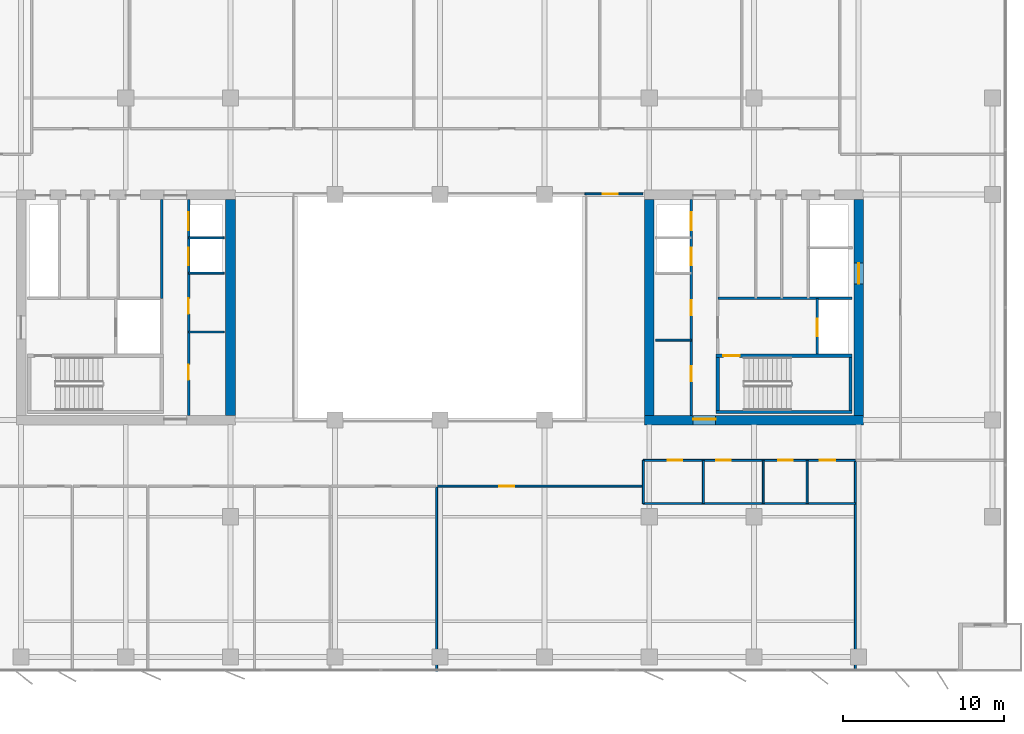
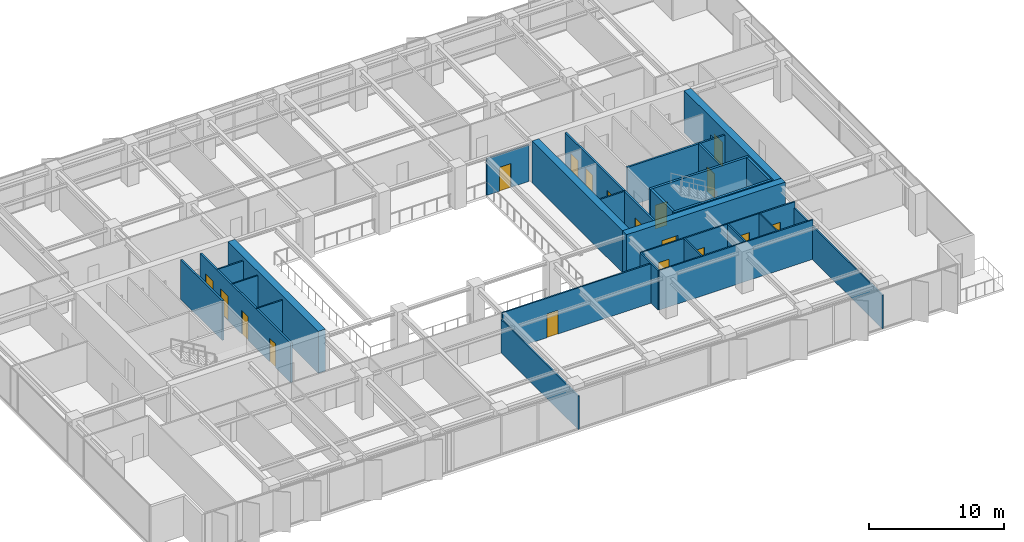
# One storey, part 16 of 22: 27 walls, 18 doors, 18 openings.
"""IFC4 building model written with IfcOpenShell, lengths in metres."""

import ifcopenshell
import ifcopenshell.guid

model = None  # the IFC model being written
_history = None  # IfcOwnerHistory: only IFC2X3 demands one
_inside = {}  # id of a spatial element -> (the spatial element, [elements in it])
_under = {}  # id of a project, library or spatial element -> (it, [spatial elements below it])
_declared = {}  # id of a project -> (the project, [libraries it declares])
_typed = {}  # id of a type object -> (the type object, [elements of that type])
_made_of = {}  # id of a material, layer set ... -> (it, [elements and type objects made of it])


def new_model(schema):
    """Start an empty IFC model of exactly this schema.

    Asked for "IFC4X3", IfcOpenShell would pick the latest addendum, in which some entities
    have other attributes; the version numbers below select the first issue.
    IFC2X3 requires an IfcOwnerHistory on every rooted entity: one is made here for all.
    """
    global model, _history
    if schema == "IFC4X3":
        model = ifcopenshell.file(schema_version=(4, 3, 0, 0))
    else:
        model = ifcopenshell.file(schema=schema)
    _inside.clear()
    _under.clear()
    _declared.clear()
    _typed.clear()
    _made_of.clear()
    _history = None
    if model.schema == "IFC2X3":
        org = make("IfcOrganization", Name="unknown")
        user = make(
            "IfcPersonAndOrganization",
            ThePerson=make("IfcPerson", FamilyName="unknown"),
            TheOrganization=org,
        )
        app = make(
            "IfcApplication",
            ApplicationDeveloper=org,
            Version="unknown",
            ApplicationFullName="unknown",
            ApplicationIdentifier="unknown",
        )
        _history = make(
            "IfcOwnerHistory",
            OwningUser=user,
            OwningApplication=app,
            ChangeAction="ADDED",
            CreationDate=0,
        )
    return model


def make(cls, **values):
    """One entity of the class cls with the attributes given. An attribute that is None is left unset."""
    return model.create_entity(
        cls, **{name: value for name, value in values.items() if value is not None}
    )


def rooted(cls, **values):
    """An entity with a GlobalId (a new one), such as an element, a storey or a relation."""
    return make(cls, GlobalId=ifcopenshell.guid.new(), OwnerHistory=_history, **values)


def si_unit(unit_type, name, prefix=None):
    """IfcSIUnit, for example si_unit("LENGTHUNIT", "METRE", prefix="MILLI")."""
    return make("IfcSIUnit", UnitType=unit_type, Prefix=prefix, Name=name)


def assignment(units):
    """IfcUnitAssignment: the units of a project."""
    return None if units is None else make("IfcUnitAssignment", Units=units)


def point(xyz):
    """IfcCartesianPoint."""
    return None if xyz is None else make("IfcCartesianPoint", Coordinates=xyz)


def direction(xyz):
    """IfcDirection."""
    return None if xyz is None else make("IfcDirection", DirectionRatios=xyz)


def frame(location, z_axis=None, x_axis=None):
    """IfcAxis2Placement3D, a coordinate frame: its origin and axes. An axis left out is left unset."""
    return make(
        "IfcAxis2Placement3D",
        Location=point(location),
        Axis=direction(z_axis),
        RefDirection=direction(x_axis),
    )


def frame_2d(location, x_axis=None):
    """IfcAxis2Placement2D, a coordinate frame in the plane: its origin and x axis."""
    return make(
        "IfcAxis2Placement2D", Location=point(location), RefDirection=direction(x_axis)
    )


def origin():
    """The frame at (0, 0, 0) with its axes left unset."""
    return frame((0.0, 0.0, 0.0))


def place(relative_to, where):
    """IfcLocalPlacement: puts the frame where relative to a parent placement (None: the world)."""
    return make(
        "IfcLocalPlacement", PlacementRelTo=relative_to, RelativePlacement=where
    )


def context(
    kind, dimensions, precision=None, world=None, true_north=None, identifier=None
):
    """IfcGeometricRepresentationContext, for example the 3D "Model" context."""
    return make(
        "IfcGeometricRepresentationContext",
        ContextIdentifier=identifier,
        ContextType=kind,
        CoordinateSpaceDimension=dimensions,
        Precision=precision,
        WorldCoordinateSystem=world,
        TrueNorth=true_north,
    )


def subcontext(parent, identifier, kind, view, scale=None):
    """IfcGeometricRepresentationSubContext, for example "Body" below "Model"."""
    return make(
        "IfcGeometricRepresentationSubContext",
        ContextIdentifier=identifier,
        ContextType=kind,
        ParentContext=parent,
        TargetScale=scale,
        TargetView=view,
    )


def project(units=None, contexts=None):
    """IfcProject with its units and contexts."""
    return rooted(
        "IfcProject",
        Name="project",
        RepresentationContexts=contexts,
        UnitsInContext=assignment(units),
    )


def spatial(cls, under=None, at=None, **own):
    """A site, building, storey or space (cls), placed at a placement, below another one or the project."""
    s = rooted(cls, ObjectPlacement=at, **own)
    if under is not None:
        _under.setdefault(under.id(), (under, []))[1].append(s)
    return s


def profile(cls, at=None, kind="AREA", **sizes):
    """A parametric profile (cls). Its sizes go by their IFC names, for example OverallWidth=200.0."""
    return make(cls, ProfileType=kind, Position=at, **sizes)


def rectangle(**sizes):
    """IfcRectangleProfileDef."""
    return profile("IfcRectangleProfileDef", **sizes)


def extrude(swept, where, along, depth):
    """IfcExtrudedAreaSolid: the profile swept, set in the frame where, extruded along a direction by depth."""
    return make(
        "IfcExtrudedAreaSolid",
        SweptArea=swept,
        Position=where,
        ExtrudedDirection=direction(along),
        Depth=depth,
    )


def shape(context_of_items, identifier, shape_type, items):
    """IfcShapeRepresentation: the items that make up one representation, for example the "Body"."""
    return make(
        "IfcShapeRepresentation",
        ContextOfItems=context_of_items,
        RepresentationIdentifier=identifier,
        RepresentationType=shape_type,
        Items=items,
    )


def material(Name=None, Category=None):
    """IfcMaterial."""
    return make("IfcMaterial", Name=Name, Category=Category)


def layer(
    of_material, thickness, ventilated=None, Name=None, Category=None, Priority=None
):
    """IfcMaterialLayer: one layer of a wall or slab, of a material (None: an air gap)."""
    return make(
        "IfcMaterialLayer",
        Material=of_material,
        LayerThickness=thickness,
        IsVentilated=ventilated,
        Name=Name,
        Category=Category,
        Priority=Priority,
    )


def layer_set(layers, Name=None):
    """IfcMaterialLayerSet."""
    return make("IfcMaterialLayerSet", MaterialLayers=layers, LayerSetName=Name)


def made_of(thing, what):
    """Note that an element or type object is made of a material, layer set ...; save() writes the relation."""
    if what is not None:
        _made_of.setdefault(what.id(), (what, []))[1].append(thing)
    return thing


def type_object(cls, material=None, **own):
    """A type object (cls), such as IfcWallType, which elements share."""
    return made_of(rooted(cls, **own), material)


def element(
    cls,
    number,
    at=None,
    inside=None,
    cuts=None,
    type_object=None,
    material=None,
    context=None,
    identifier="Body",
    shape_type=None,
    held_by="IfcProductDefinitionShape",
    body=None,
    shapes=None,
    **own,
):
    """One element of the class cls, such as IfcWall. Its Tag is "e" and its number.

    at: its placement. inside: the storey or other place that contains it. cuts: it is an
    opening in that element (IfcRelVoidsElement). A single representation is given by context,
    identifier, shape_type and body (its items); several are given by shapes. held_by: the class
    of the entity that holds the representations. save() writes the other relations.
    """
    e = rooted(cls, Tag="e%d" % number, ObjectPlacement=at, **own)
    if body is not None:
        shapes = [shape(context, identifier, shape_type, body)]
    if shapes is not None:
        e.Representation = make(held_by, Representations=shapes)
    if inside is not None:
        _inside.setdefault(inside.id(), (inside, []))[1].append(e)
    if cuts is not None:
        rooted(
            "IfcRelVoidsElement", RelatingBuildingElement=cuts, RelatedOpeningElement=e
        )
    if type_object is not None:
        _typed.setdefault(type_object.id(), (type_object, []))[1].append(e)
    return made_of(e, material)


def fill(opening, filler):
    """IfcRelFillsElement: the door or window that sits in an opening."""
    return rooted(
        "IfcRelFillsElement",
        RelatingOpeningElement=opening,
        RelatedBuildingElement=filler,
    )


def aggregate(whole, parts):
    """IfcRelAggregates: a whole, such as a stair, and the parts it consists of."""
    return rooted("IfcRelAggregates", RelatingObject=whole, RelatedObjects=parts)


def save(model, path):
    """Write the relations noted so far, then the file.

    IfcRelAggregates (storeys below a building ...), IfcRelContainedInSpatialStructure (elements
    in a storey), IfcRelDefinesByType, IfcRelAssociatesMaterial and IfcRelDeclares: one each for
    every whole, place, type object, material and project.
    """
    for whole, parts in _under.values():
        aggregate(whole, parts)
    for where, things in _inside.values():
        rooted(
            "IfcRelContainedInSpatialStructure",
            RelatedElements=things,
            RelatingStructure=where,
        )
    for kind, things in _typed.values():
        rooted("IfcRelDefinesByType", RelatedObjects=things, RelatingType=kind)
    for what, things in _made_of.values():
        rooted("IfcRelAssociatesMaterial", RelatedObjects=things, RelatingMaterial=what)
    for by, libraries in _declared.values():
        rooted("IfcRelDeclares", RelatingContext=by, RelatedDefinitions=libraries)
    model.write(path)


model = new_model("IFC4")

# Units and contexts
model_context = context("Model", 3, precision=1e-05, world=origin(), true_north=direction((0.0, 1.0)))
body_context = subcontext(model_context, "Body", "Model", "MODEL_VIEW")
ifc_project = project(units=[si_unit("LENGTHUNIT", "METRE"), si_unit("AREAUNIT", "SQUARE_METRE"), si_unit("VOLUMEUNIT", "CUBIC_METRE"), si_unit("PLANEANGLEUNIT", "RADIAN"), si_unit("MASSUNIT", "GRAM", prefix="KILO")], contexts=[model_context])

# Site, building, storey
site_placement = place(None, origin())
site = spatial("IfcSite", under=ifc_project, at=site_placement, CompositionType="ELEMENT")
building_placement = place(site_placement, origin())
building = spatial("IfcBuilding", under=site, at=building_placement, Name="Putna Gate Headquarters", CompositionType="ELEMENT")
storey_placement = place(building_placement, frame((0.0, 0.0, 174.60009765625)))
storey = spatial("IfcBuildingStorey", under=building, at=storey_placement, Name="L43", CompositionType="ELEMENT", Elevation=174.60009765625)

# Wall
ifc_material_1 = material(Name="Concrete C50/60", Category="concrete")
ifc_layer_1 = layer(ifc_material_1, 0.60009765625)
ifc_layer_set_1 = layer_set([ifc_layer_1], Name="Concrete C50/60")
wall_type_1 = type_object("IfcWallType", Name="WALL-CORE-600", PredefinedType="SHEAR", material=ifc_layer_set_1)
wall_1_placement = place(storey_placement, frame((26.0, 19.300048828125, 0.0), z_axis=(0.0, 0.0, 1.0), x_axis=(0.0, 1.0, 0.0)))
element("IfcWall", 1, at=wall_1_placement, inside=storey, type_object=wall_type_1, Name="L43 WC Split Core Shear Wall E", PredefinedType="SHEAR", context=body_context, shape_type="SweptSolid", body=[
    extrude(rectangle(XDim=13.39990234375, YDim=0.60009765625, at=frame_2d((6.699951171875, 0.0))), origin(), (0.0, 0.0, 1.0), 3.7998046875),
])

# Wall, opening, door
wall_2_placement = place(storey_placement, frame((51.699951171875, 19.0, 0.0), z_axis=(0.0, 0.0, 1.0), x_axis=(1.0, 0.0, 0.0)))
wall_2 = element("IfcWall", 2, at=wall_2_placement, inside=storey, type_object=wall_type_1, Name="L43 EC Split Core Shear Wall S", PredefinedType="SHEAR", context=body_context, shape_type="SweptSolid", body=[
    extrude(rectangle(XDim=13.60009765625, YDim=0.60009765625, at=frame_2d((6.800048828125, 0.0))), origin(), (0.0, 0.0, 1.0), 3.7998046875),
])
opening_1_placement = place(wall_2_placement, frame((3.02001953125, 0.0, 0.0)))
opening_1 = element("IfcOpeningElement", 3, at=opening_1_placement, cuts=wall_2, Name="Opening FDD-140", PredefinedType="OPENING", context=body_context, shape_type="SweptSolid", body=[
    extrude(rectangle(XDim=1.39990234375, YDim=2.199951171875, at=frame_2d((0.699951171875, 1.10009765625))), frame((0.0, 0.31005859375, 0.0), z_axis=(0.0, -1.0, 0.0), x_axis=(1.0, 0.0, 0.0)), (0.0, 0.0, 1.0), 0.6201171875),
])
ifc_material_2 = material(Name="Double steel fire door", Category="steel")
door_type_1 = type_object("IfcDoorType", Name="DOOR-FIRE-DBL-1400", OperationType="DOUBLE_DOOR_SINGLE_SWING", PredefinedType="DOOR", material=ifc_material_2)
door_1_placement = place(opening_1_placement, origin())
door_1 = element("IfcDoor", 4, at=door_1_placement, inside=storey, type_object=door_type_1, Name="L43 East Lift Lobby South Door", OperationType="DOUBLE_DOOR_SINGLE_SWING", OverallHeight=2.199951171875, OverallWidth=1.39990234375, PredefinedType="DOOR", context=body_context, shape_type="SweptSolid", body=[
    extrude(rectangle(XDim=1.39990234375, YDim=2.199951171875, at=frame_2d((0.699951171875, 1.10009765625))), frame((0.0, 0.0751953125, 0.0), z_axis=(0.0, -1.0, 0.0), x_axis=(1.0, 0.0, 0.0)), (0.0, 0.0, 1.0), 0.050048828125),
])
fill(opening_1, door_1)

# Wall
wall_3_placement = place(storey_placement, frame((52.0, 19.300048828125, 0.0), z_axis=(0.0, 0.0, 1.0), x_axis=(0.0, 1.0, 0.0)))
element("IfcWall", 5, at=wall_3_placement, inside=storey, type_object=wall_type_1, Name="L43 EC Split Core Shear Wall W", PredefinedType="SHEAR", context=body_context, shape_type="SweptSolid", body=[
    extrude(rectangle(XDim=13.39990234375, YDim=0.60009765625, at=frame_2d((6.699951171875, 0.0))), origin(), (0.0, 0.0, 1.0), 3.7998046875),
])

# Wall, opening, door
wall_4_placement = place(storey_placement, frame((65.0, 19.300048828125, 0.0), z_axis=(0.0, 0.0, 1.0), x_axis=(0.0, 1.0, 0.0)))
wall_4 = element("IfcWall", 6, at=wall_4_placement, inside=storey, type_object=wall_type_1, Name="L43 EC Split Core Shear Wall E", PredefinedType="SHEAR", context=body_context, shape_type="SweptSolid", body=[
    extrude(rectangle(XDim=13.39990234375, YDim=0.60009765625, at=frame_2d((6.699951171875, 0.0))), origin(), (0.0, 0.0, 1.0), 3.7998046875),
])
opening_2_placement = place(wall_4_placement, frame((8.14990234375, 0.0, 0.0)))
opening_2 = element("IfcOpeningElement", 7, at=opening_2_placement, cuts=wall_4, Name="Opening LD-2", PredefinedType="OPENING", context=body_context, shape_type="SweptSolid", body=[
    extrude(rectangle(XDim=1.300048828125, YDim=2.199951171875, at=frame_2d((0.64990234375, 1.10009765625))), frame((0.0, 0.31005859375, 0.0), z_axis=(0.0, -1.0, 0.0), x_axis=(1.0, 0.0, 0.0)), (0.0, 0.0, 1.0), 0.6201171875),
])
ifc_material_3 = material(Name="Heavy-duty goods lift sliding landing door")
door_type_2 = type_object("IfcDoorType", Name="DOOR-LIFT-1300", OperationType="DOUBLE_DOOR_SLIDING", PredefinedType="DOOR", material=ifc_material_3)
door_2_placement = place(opening_2_placement, origin())
door_2 = element("IfcDoor", 8, at=door_2_placement, inside=storey, type_object=door_type_2, Name="L43 Goods Lift Landing Door LD-15", OperationType="DOUBLE_DOOR_SLIDING", OverallHeight=2.199951171875, OverallWidth=1.300048828125, PredefinedType="DOOR", context=body_context, shape_type="SweptSolid", body=[
    extrude(rectangle(XDim=1.300048828125, YDim=2.199951171875, at=frame_2d((0.64990234375, 1.10009765625))), frame((0.0, 0.02490234375, 0.0), z_axis=(0.0, -1.0, 0.0), x_axis=(1.0, 0.0, 0.0)), (0.0, 0.0, 1.0), 0.050048828125),
])
fill(opening_2, door_2)

ifc_material_4 = material(Name="Acoustic gypsum board on metal stud")
ifc_layer_2 = layer(ifc_material_4, 0.1201171875)
ifc_layer_set_2 = layer_set([ifc_layer_2], Name="Acoustic gypsum board on metal stud")
wall_type_2 = type_object("IfcWallType", Name="WALL-PART-120", PredefinedType="PARTITIONING", material=ifc_layer_set_2)
wall_5_placement = place(storey_placement, frame((48.0, 33.0400390625, 0.0), z_axis=(0.0, 0.0, 1.0), x_axis=(1.0, 0.0, 0.0)))
wall_5 = element("IfcWall", 9, at=wall_5_placement, inside=storey, type_object=wall_type_2, Name="L43 Interior Wall PART-L43-ATR-E-N", PredefinedType="PARTITIONING", context=body_context, shape_type="SweptSolid", body=[
    extrude(rectangle(XDim=3.60009765625, YDim=0.1201171875, at=frame_2d((1.800048828125, 0.0))), origin(), (0.0, 0.0, 1.0), 3.31201171875),
])
opening_3_placement = place(wall_5_placement, frame((1.10009765625, 0.0, 0.0)))
opening_3 = element("IfcOpeningElement", 10, at=opening_3_placement, cuts=wall_5, Name="Opening ID-95", PredefinedType="OPENING", context=body_context, shape_type="SweptSolid", body=[
    extrude(rectangle(XDim=0.949951171875, YDim=2.14990234375, at=frame_2d((0.47509765625, 1.074951171875))), frame((0.0, 0.070068359375, 0.0), z_axis=(0.0, -1.0, 0.0), x_axis=(1.0, 0.0, 0.0)), (0.0, 0.0, 1.0), 0.14013671875),
])
ifc_material_5 = material(Name="Veneered acoustic timber door", Category="wood")
door_type_3 = type_object("IfcDoorType", Name="DOOR-OFF-950", OperationType="NOTDEFINED", PredefinedType="DOOR", material=ifc_material_5)
door_3_placement = place(opening_3_placement, origin())
door_3 = element("IfcDoor", 11, at=door_3_placement, inside=storey, type_object=door_type_3, Name="L43 East Sky Atrium Lounge Door", OperationType="SINGLE_SWING_LEFT", OverallHeight=2.14990234375, OverallWidth=0.949951171875, PredefinedType="DOOR", context=body_context, shape_type="SweptSolid", body=[
    extrude(rectangle(XDim=0.949951171875, YDim=2.14990234375, at=frame_2d((0.47509765625, 1.074951171875))), frame((0.0, 0.02490234375, 0.0), z_axis=(0.0, -1.0, 0.0), x_axis=(1.0, 0.0, 0.0)), (0.0, 0.0, 1.0), 0.050048828125),
])
fill(opening_3, door_3)

# Walls
wall_6_placement = place(storey_placement, frame((38.800048828125, 3.419921875, 0.0), z_axis=(0.0, 0.0, 1.0), x_axis=(0.0, 1.0, 0.0)))
element("IfcWall", 12, at=wall_6_placement, inside=storey, type_object=wall_type_2, Name="L43 Interior Wall PART-L43-SB-DIV-06", PredefinedType="PARTITIONING", context=body_context, shape_type="SweptSolid", body=[
    extrude(rectangle(XDim=11.420166015625, YDim=0.1201171875, at=frame_2d((5.7099609375, 0.0))), origin(), (0.0, 0.0, 1.0), 3.02197265625),
])
wall_7_placement = place(storey_placement, frame((64.800048828125, 3.419921875, 0.0), z_axis=(0.0, 0.0, 1.0), x_axis=(0.0, 1.0, 0.0)))
element("IfcWall", 13, at=wall_7_placement, inside=storey, type_object=wall_type_2, Name="L43 Interior Wall PART-L43-SB-DIV-07", PredefinedType="PARTITIONING", context=body_context, shape_type="SweptSolid", body=[
    extrude(rectangle(XDim=13.02001953125, YDim=0.1201171875, at=frame_2d((6.510009765625, 0.0))), origin(), (0.0, 0.0, 1.0), 3.02197265625),
])
ifc_material_6 = material(Name="Fire-rated shaftwall gypsum board on metal stud")
ifc_layer_3 = layer(ifc_material_6, 0.1201171875)
ifc_layer_set_3 = layer_set([ifc_layer_3], Name="Fire-rated shaftwall gypsum board on metal stud")
wall_type_3 = type_object("IfcWallType", Name="WALL-PART-120-EI120", PredefinedType="PARTITIONING", material=ifc_layer_set_3)
wall_8_placement = place(storey_placement, frame((23.39990234375, 30.31005859375, 0.0), z_axis=(0.0, 0.0, 1.0), x_axis=(1.0, 0.0, 0.0)))
element("IfcWall", 14, at=wall_8_placement, inside=storey, type_object=wall_type_3, Name="L43 Interior Wall CWINT-L43-WC-LF09-DIV", PredefinedType="PARTITIONING", context=body_context, shape_type="SweptSolid", body=[
    extrude(rectangle(XDim=2.2001953125, YDim=0.1201171875, at=frame_2d((1.10009765625, 0.0))), origin(), (0.0, 0.0, 1.0), 3.572021484375),
])
ifc_material_7 = material(Name="Fire-rated gypsum board on metal stud")
ifc_layer_4 = layer(ifc_material_7, 0.1201171875)
ifc_layer_set_4 = layer_set([ifc_layer_4], Name="Fire-rated gypsum board on metal stud")
wall_type_4 = type_object("IfcWallType", Name="WALL-PART-120-RATED", PredefinedType="PARTITIONING", material=ifc_layer_set_4)
for number, where, z_axis, x_axis, name in (
    (15, (23.39990234375, 24.469970703125, 0.0), (0.0, 0.0, 1.0), (1.0, 0.0, 0.0), "L43 Interior Wall CWINT-L43-WC-REUSE-DIV"),
    (16, (23.39990234375, 28.1201171875, 0.0), (0.0, 0.0, 1.0), (1.0, 0.0, 0.0), "L43 Interior Wall CWINT-L43-WC-LF06-DIV"),
    (17, (52.39990234375, 23.969970703125, 0.0), (0.0, 0.0, 1.0), (1.0, 0.0, 0.0), "L43 Interior Wall CWINT-L43-EC-REUSE-DIV"),
):
    element("IfcWall", number, at=place(storey_placement, frame(where, z_axis=z_axis, x_axis=x_axis)), inside=storey, type_object=wall_type_4, Name=name, PredefinedType="PARTITIONING", context=body_context, shape_type="SweptSolid", body=[
        extrude(rectangle(XDim=2.2001953125, YDim=0.1201171875, at=frame_2d((1.10009765625, 0.0))), origin(), (0.0, 0.0, 1.0), 3.572021484375),
    ])

# Wall, openings, doors
wall_9_placement = place(storey_placement, frame((51.639892578125, 16.5, 0.0), z_axis=(0.0, 0.0, 1.0), x_axis=(1.0, 0.0, 0.0)))
wall_9 = element("IfcWall", 18, at=wall_9_placement, inside=storey, type_object=wall_type_4, Name="L43 Interior Wall PART-L43-SAN-CW", PredefinedType="PARTITIONING", context=body_context, shape_type="SweptSolid", body=[
    extrude(rectangle(XDim=13.16015625, YDim=0.1201171875, at=frame_2d((6.580078125, 0.0))), origin(), (0.0, 0.0, 1.0), 3.572021484375),
])
opening_4_placement = place(wall_9_placement, frame((1.510009765625, 0.0, 0.0)))
opening_4 = element("IfcOpeningElement", 19, at=opening_4_placement, cuts=wall_9, Name="Opening FD-90", PredefinedType="OPENING", context=body_context, shape_type="SweptSolid", body=[
    extrude(rectangle(XDim=0.89990234375, YDim=2.14990234375, at=frame_2d((0.449951171875, 1.074951171875))), frame((0.0, 0.070068359375, 0.0), z_axis=(0.0, -1.0, 0.0), x_axis=(1.0, 0.0, 0.0)), (0.0, 0.0, 1.0), 0.14013671875),
])
opening_5_placement = place(wall_9_placement, frame((4.510009765625, 0.0, 0.0)))
opening_5 = element("IfcOpeningElement", 20, at=opening_5_placement, cuts=wall_9, Name="Opening FD-90", PredefinedType="OPENING", context=body_context, shape_type="SweptSolid", body=[
    extrude(rectangle(XDim=0.89990234375, YDim=2.14990234375, at=frame_2d((0.449951171875, 1.074951171875))), frame((0.0, 0.070068359375, 0.0), z_axis=(0.0, -1.0, 0.0), x_axis=(1.0, 0.0, 0.0)), (0.0, 0.0, 1.0), 0.14013671875),
])
opening_6_placement = place(wall_9_placement, frame((8.360107421875, 0.0, 0.0)))
opening_6 = element("IfcOpeningElement", 21, at=opening_6_placement, cuts=wall_9, Name="Opening FD-90", PredefinedType="OPENING", context=body_context, shape_type="SweptSolid", body=[
    extrude(rectangle(XDim=0.89990234375, YDim=2.14990234375, at=frame_2d((0.449951171875, 1.074951171875))), frame((0.0, 0.070068359375, 0.0), z_axis=(0.0, -1.0, 0.0), x_axis=(1.0, 0.0, 0.0)), (0.0, 0.0, 1.0), 0.14013671875),
])
opening_7_placement = place(wall_9_placement, frame((10.9599609375, 0.0, 0.0)))
opening_7 = element("IfcOpeningElement", 22, at=opening_7_placement, cuts=wall_9, Name="Opening FD-95", PredefinedType="OPENING", context=body_context, shape_type="SweptSolid", body=[
    extrude(rectangle(XDim=0.949951171875, YDim=2.14990234375, at=frame_2d((0.47509765625, 1.074951171875))), frame((0.0, 0.070068359375, 0.0), z_axis=(0.0, -1.0, 0.0), x_axis=(1.0, 0.0, 0.0)), (0.0, 0.0, 1.0), 0.14013671875),
])
ifc_material_8 = material(Name="Acoustic washroom fire door")
door_type_4 = type_object("IfcDoorType", Name="DOOR-FIRE-900", OperationType="NOTDEFINED", PredefinedType="DOOR", material=ifc_material_8)
door_4_placement = place(opening_4_placement, origin())
door_4 = element("IfcDoor", 23, at=door_4_placement, inside=storey, type_object=door_type_4, Name="L43 Washroom Male Door", OperationType="SINGLE_SWING_RIGHT", OverallHeight=2.14990234375, OverallWidth=0.89990234375, PredefinedType="DOOR", context=body_context, shape_type="SweptSolid", body=[
    extrude(rectangle(XDim=0.89990234375, YDim=2.14990234375, at=frame_2d((0.449951171875, 1.074951171875))), frame((0.0, 0.02490234375, 0.0), z_axis=(0.0, -1.0, 0.0), x_axis=(1.0, 0.0, 0.0)), (0.0, 0.0, 1.0), 0.050048828125),
])
fill(opening_4, door_4)
door_5_placement = place(opening_5_placement, origin())
door_5 = element("IfcDoor", 24, at=door_5_placement, inside=storey, type_object=door_type_4, Name="L43 Washroom Female Door", OperationType="SINGLE_SWING_LEFT", OverallHeight=2.14990234375, OverallWidth=0.89990234375, PredefinedType="DOOR", context=body_context, shape_type="SweptSolid", body=[
    extrude(rectangle(XDim=0.89990234375, YDim=2.14990234375, at=frame_2d((0.449951171875, 1.074951171875))), frame((0.0, 0.02490234375, 0.0), z_axis=(0.0, -1.0, 0.0), x_axis=(1.0, 0.0, 0.0)), (0.0, 0.0, 1.0), 0.050048828125),
])
fill(opening_5, door_5)
door_6_placement = place(opening_6_placement, origin())
door_6 = element("IfcDoor", 25, at=door_6_placement, inside=storey, type_object=door_type_4, Name="L43 Accessible WC Door", OperationType="SINGLE_SWING_RIGHT", OverallHeight=2.14990234375, OverallWidth=0.89990234375, PredefinedType="DOOR", context=body_context, shape_type="SweptSolid", body=[
    extrude(rectangle(XDim=0.89990234375, YDim=2.14990234375, at=frame_2d((0.449951171875, 1.074951171875))), frame((0.0, 0.02490234375, 0.0), z_axis=(0.0, -1.0, 0.0), x_axis=(1.0, 0.0, 0.0)), (0.0, 0.0, 1.0), 0.050048828125),
])
fill(opening_6, door_6)
ifc_material_9 = material(Name="Acoustic timber fire door", Category="wood")
door_type_5 = type_object("IfcDoorType", Name="DOOR-FIRE-950", OperationType="NOTDEFINED", PredefinedType="DOOR", material=ifc_material_9)
door_7_placement = place(opening_7_placement, origin())
door_7 = element("IfcDoor", 26, at=door_7_placement, inside=storey, type_object=door_type_5, Name="L43 Staff Pantry and Tea Point Door", OperationType="SINGLE_SWING_LEFT", OverallHeight=2.14990234375, OverallWidth=0.949951171875, PredefinedType="DOOR", context=body_context, shape_type="SweptSolid", body=[
    extrude(rectangle(XDim=0.949951171875, YDim=2.14990234375, at=frame_2d((0.47509765625, 1.074951171875))), frame((0.0, 0.02490234375, 0.0), z_axis=(0.0, -1.0, 0.0), x_axis=(1.0, 0.0, 0.0)), (0.0, 0.0, 1.0), 0.050048828125),
])
fill(opening_7, door_7)

# Walls
wall_10_placement = place(storey_placement, frame((51.639892578125, 13.820068359375, 0.0), z_axis=(0.0, 0.0, 1.0), x_axis=(1.0, 0.0, 0.0)))
element("IfcWall", 27, at=wall_10_placement, inside=storey, type_object=wall_type_4, Name="L43 Interior Wall PART-L43-SAN-BACK", PredefinedType="PARTITIONING", context=body_context, shape_type="SweptSolid", body=[
    extrude(rectangle(XDim=13.16015625, YDim=0.1201171875, at=frame_2d((6.580078125, 0.0))), origin(), (0.0, 0.0, 1.0), 3.572021484375),
])
for number, where, z_axis, x_axis, name in (
    (28, (51.639892578125, 13.820068359375, 0.0), (0.0, 0.0, 1.0), (0.0, 1.0, 0.0), "L43 Interior Wall PART-L43-SAN-DIV-1"),
    (29, (55.360107421875, 13.820068359375, 0.0), (0.0, 0.0, 1.0), (0.0, 1.0, 0.0), "L43 Interior Wall PART-L43-SAN-DIV-2"),
    (30, (59.080078125, 13.820068359375, 0.0), (0.0, 0.0, 1.0), (0.0, 1.0, 0.0), "L43 Interior Wall PART-L43-SAN-DIV-3"),
    (31, (61.800048828125, 13.820068359375, 0.0), (0.0, 0.0, 1.0), (0.0, 1.0, 0.0), "L43 Interior Wall PART-L43-SAN-DIV-4"),
):
    element("IfcWall", number, at=place(storey_placement, frame(where, z_axis=z_axis, x_axis=x_axis)), inside=storey, type_object=wall_type_4, Name=name, PredefinedType="PARTITIONING", context=body_context, shape_type="SweptSolid", body=[
        extrude(rectangle(XDim=2.679931640625, YDim=0.1201171875, at=frame_2d((1.33984375, 0.0))), origin(), (0.0, 0.0, 1.0), 3.572021484375),
    ])

# Wall, opening, door
wall_11_placement = place(storey_placement, frame((38.860107421875, 14.89990234375, 0.0), z_axis=(0.0, 0.0, 1.0), x_axis=(1.0, 0.0, 0.0)))
wall_11 = element("IfcWall", 32, at=wall_11_placement, inside=storey, type_object=wall_type_4, Name="L43 Interior Wall PART-L43-SB-CW-07", PredefinedType="PARTITIONING", context=body_context, shape_type="SweptSolid", body=[
    extrude(rectangle(XDim=12.719970703125, YDim=0.1201171875, at=frame_2d((6.35986328125, 0.0))), origin(), (0.0, 0.0, 1.0), 3.572021484375),
])
opening_8_placement = place(wall_11_placement, frame((3.81591796875, 0.0, 0.0)))
opening_8 = element("IfcOpeningElement", 33, at=opening_8_placement, cuts=wall_11, Name="Opening FD-95", PredefinedType="OPENING", context=body_context, shape_type="SweptSolid", body=[
    extrude(rectangle(XDim=0.949951171875, YDim=2.14990234375, at=frame_2d((0.47509765625, 1.074951171875))), frame((0.0, 0.070068359375, 0.0), z_axis=(0.0, -1.0, 0.0), x_axis=(1.0, 0.0, 0.0)), (0.0, 0.0, 1.0), 0.14013671875),
])
door_8_placement = place(opening_8_placement, origin())
door_8 = element("IfcDoor", 34, at=door_8_placement, inside=storey, type_object=door_type_5, Name="L43 Primary Open Office Workplace Door", OperationType="SINGLE_SWING_RIGHT", OverallHeight=2.14990234375, OverallWidth=0.949951171875, PredefinedType="DOOR", context=body_context, shape_type="SweptSolid", body=[
    extrude(rectangle(XDim=0.949951171875, YDim=2.14990234375, at=frame_2d((0.47509765625, 1.074951171875))), frame((0.0, 0.02490234375, 0.0), z_axis=(0.0, -1.0, 0.0), x_axis=(1.0, 0.0, 0.0)), (0.0, 0.0, 1.0), 0.050048828125),
])
fill(opening_8, door_8)

# Wall
ifc_material_10 = material(Name="Concrete C40/50", Category="concrete")
ifc_layer_5 = layer(ifc_material_10, 0.159912109375)
ifc_layer_set_5 = layer_set([ifc_layer_5], Name="Concrete C40/50")
wall_type_5 = type_object("IfcWallType", Name="WALL-SHAFT-160", PredefinedType="STANDARD", material=ifc_layer_set_5)
wall_12_placement = place(storey_placement, frame((21.739990234375, 26.56005859375, 0.0), z_axis=(0.0, 0.0, 1.0), x_axis=(0.0, 1.0, 0.0)))
element("IfcWall", 35, at=wall_12_placement, inside=storey, type_object=wall_type_5, Name="L43 Interior Wall CWINT-L43-WC-LOB-W", PredefinedType="STANDARD", context=body_context, shape_type="SweptSolid", body=[
    extrude(rectangle(XDim=6.139892578125, YDim=0.159912109375, at=frame_2d((3.06982421875, 0.0))), origin(), (0.0, 0.0, 1.0), 3.572021484375),
])

# Wall, openings, doors
wall_13_placement = place(storey_placement, frame((23.39990234375, 19.300048828125, 0.0), z_axis=(0.0, 0.0, 1.0), x_axis=(0.0, 1.0, 0.0)))
wall_13 = element("IfcWall", 36, at=wall_13_placement, inside=storey, type_object=wall_type_5, Name="L43 Interior Wall CWINT-L43-WC-PL-WALL", PredefinedType="STANDARD", context=body_context, shape_type="SweptSolid", body=[
    extrude(rectangle(XDim=13.39990234375, YDim=0.159912109375, at=frame_2d((6.699951171875, 0.0))), origin(), (0.0, 0.0, 1.0), 3.572021484375),
])
opening_9_placement = place(wall_13_placement, frame((2.199951171875, 0.0, 0.0)))
opening_9 = element("IfcOpeningElement", 37, at=opening_9_placement, cuts=wall_13, Name="Opening IDS-95", PredefinedType="OPENING", context=body_context, shape_type="SweptSolid", body=[
    extrude(rectangle(XDim=0.949951171875, YDim=2.14990234375, at=frame_2d((0.47509765625, 1.074951171875))), frame((0.0, 0.08984375, 0.0), z_axis=(0.0, -1.0, 0.0), x_axis=(1.0, 0.0, 0.0)), (0.0, 0.0, 1.0), 0.179931640625),
])
opening_10_placement = place(wall_13_placement, frame((6.300048828125, 0.0, 0.0)))
opening_10 = element("IfcOpeningElement", 38, at=opening_10_placement, cuts=wall_13, Name="Opening IDS-95", PredefinedType="OPENING", context=body_context, shape_type="SweptSolid", body=[
    extrude(rectangle(XDim=0.949951171875, YDim=2.14990234375, at=frame_2d((0.47509765625, 1.074951171875))), frame((0.0, 0.08984375, 0.0), z_axis=(0.0, -1.0, 0.0), x_axis=(1.0, 0.0, 0.0)), (0.0, 0.0, 1.0), 0.179931640625),
])
opening_11_placement = place(wall_13_placement, frame((9.300048828125, 0.0, 0.0)))
opening_11 = element("IfcOpeningElement", 39, at=opening_11_placement, cuts=wall_13, Name="Opening LD-1", PredefinedType="OPENING", context=body_context, shape_type="SweptSolid", body=[
    extrude(rectangle(XDim=1.10009765625, YDim=2.199951171875, at=frame_2d((0.550048828125, 1.10009765625))), frame((0.0, 0.08984375, 0.0), z_axis=(0.0, -1.0, 0.0), x_axis=(1.0, 0.0, 0.0)), (0.0, 0.0, 1.0), 0.179931640625),
])
opening_12_placement = place(wall_13_placement, frame((11.5, 0.0, 0.0)))
opening_12 = element("IfcOpeningElement", 40, at=opening_12_placement, cuts=wall_13, Name="Opening LD-1", PredefinedType="OPENING", context=body_context, shape_type="SweptSolid", body=[
    extrude(rectangle(XDim=1.10009765625, YDim=2.199951171875, at=frame_2d((0.550048828125, 1.10009765625))), frame((0.0, 0.08984375, 0.0), z_axis=(0.0, -1.0, 0.0), x_axis=(1.0, 0.0, 0.0)), (0.0, 0.0, 1.0), 0.179931640625),
])
ifc_material_11 = material(Name="Fire-rated service timber door", Category="wood")
door_type_6 = type_object("IfcDoorType", Name="DOOR-INT-950", OperationType="NOTDEFINED", PredefinedType="DOOR", material=ifc_material_11)
door_9_placement = place(opening_9_placement, origin())
door_9 = element("IfcDoor", 41, at=door_9_placement, inside=storey, type_object=door_type_6, Name="L43 Tenant IT Hub Door", OperationType="SINGLE_SWING_LEFT", OverallHeight=2.14990234375, OverallWidth=0.949951171875, PredefinedType="DOOR", context=body_context, shape_type="SweptSolid", body=[
    extrude(rectangle(XDim=0.949951171875, YDim=2.14990234375, at=frame_2d((0.47509765625, 1.074951171875))), frame((0.0, 0.02490234375, 0.0), z_axis=(0.0, -1.0, 0.0), x_axis=(1.0, 0.0, 0.0)), (0.0, 0.0, 1.0), 0.050048828125),
])
fill(opening_9, door_9)
door_10_placement = place(opening_10_placement, origin())
door_10 = element("IfcDoor", 42, at=door_10_placement, inside=storey, type_object=door_type_6, Name="L43 Records Vault Door", OperationType="SINGLE_SWING_RIGHT", OverallHeight=2.14990234375, OverallWidth=0.949951171875, PredefinedType="DOOR", context=body_context, shape_type="SweptSolid", body=[
    extrude(rectangle(XDim=0.949951171875, YDim=2.14990234375, at=frame_2d((0.47509765625, 1.074951171875))), frame((0.0, 0.02490234375, 0.0), z_axis=(0.0, -1.0, 0.0), x_axis=(1.0, 0.0, 0.0)), (0.0, 0.0, 1.0), 0.050048828125),
])
fill(opening_10, door_10)
ifc_material_12 = material(Name="Brushed bronze stainless lift landing door")
door_type_7 = type_object("IfcDoorType", Name="DOOR-LIFT-1100", OperationType="DOUBLE_DOOR_SLIDING", PredefinedType="DOOR", material=ifc_material_12)
door_11_placement = place(opening_11_placement, origin())
door_11 = element("IfcDoor", 43, at=door_11_placement, inside=storey, type_object=door_type_7, Name="L43 Lift Landing Door LD-09", OperationType="DOUBLE_DOOR_SLIDING", OverallHeight=2.199951171875, OverallWidth=1.10009765625, PredefinedType="DOOR", context=body_context, shape_type="SweptSolid", body=[
    extrude(rectangle(XDim=1.10009765625, YDim=2.199951171875, at=frame_2d((0.550048828125, 1.10009765625))), frame((0.0, 0.02490234375, 0.0), z_axis=(0.0, -1.0, 0.0), x_axis=(1.0, 0.0, 0.0)), (0.0, 0.0, 1.0), 0.050048828125),
])
fill(opening_11, door_11)
door_12_placement = place(opening_12_placement, origin())
door_12 = element("IfcDoor", 44, at=door_12_placement, inside=storey, type_object=door_type_7, Name="L43 Lift Landing Door LD-10", OperationType="DOUBLE_DOOR_SLIDING", OverallHeight=2.199951171875, OverallWidth=1.10009765625, PredefinedType="DOOR", context=body_context, shape_type="SweptSolid", body=[
    extrude(rectangle(XDim=1.10009765625, YDim=2.199951171875, at=frame_2d((0.550048828125, 1.10009765625))), frame((0.0, 0.02490234375, 0.0), z_axis=(0.0, -1.0, 0.0), x_axis=(1.0, 0.0, 0.0)), (0.0, 0.0, 1.0), 0.050048828125),
])
fill(opening_12, door_12)

wall_14_placement = place(storey_placement, frame((54.60009765625, 19.300048828125, 0.0), z_axis=(0.0, 0.0, 1.0), x_axis=(0.0, 1.0, 0.0)))
wall_14 = element("IfcWall", 45, at=wall_14_placement, inside=storey, type_object=wall_type_5, Name="L43 Interior Wall CWINT-L43-EC-PL-WALL", PredefinedType="STANDARD", context=body_context, shape_type="SweptSolid", body=[
    extrude(rectangle(XDim=13.39990234375, YDim=0.159912109375, at=frame_2d((6.699951171875, 0.0))), origin(), (0.0, 0.0, 1.0), 3.572021484375),
])
opening_13_placement = place(wall_14_placement, frame((2.10009765625, 0.0, 0.0)))
opening_13 = element("IfcOpeningElement", 46, at=opening_13_placement, cuts=wall_14, Name="Opening IDS-95", PredefinedType="OPENING", context=body_context, shape_type="SweptSolid", body=[
    extrude(rectangle(XDim=0.949951171875, YDim=2.14990234375, at=frame_2d((0.47509765625, 1.074951171875))), frame((0.0, 0.08984375, 0.0), z_axis=(0.0, -1.0, 0.0), x_axis=(1.0, 0.0, 0.0)), (0.0, 0.0, 1.0), 0.179931640625),
])
opening_14_placement = place(wall_14_placement, frame((6.199951171875, 0.0, 0.0)))
opening_14 = element("IfcOpeningElement", 47, at=opening_14_placement, cuts=wall_14, Name="Opening IDS-95", PredefinedType="OPENING", context=body_context, shape_type="SweptSolid", body=[
    extrude(rectangle(XDim=0.949951171875, YDim=2.14990234375, at=frame_2d((0.47509765625, 1.074951171875))), frame((0.0, 0.08984375, 0.0), z_axis=(0.0, -1.0, 0.0), x_axis=(1.0, 0.0, 0.0)), (0.0, 0.0, 1.0), 0.179931640625),
])
opening_15_placement = place(wall_14_placement, frame((9.300048828125, 0.0, 0.0)))
opening_15 = element("IfcOpeningElement", 48, at=opening_15_placement, cuts=wall_14, Name="Opening LD-1", PredefinedType="OPENING", context=body_context, shape_type="SweptSolid", body=[
    extrude(rectangle(XDim=1.10009765625, YDim=2.199951171875, at=frame_2d((0.550048828125, 1.10009765625))), frame((0.0, 0.08984375, 0.0), z_axis=(0.0, -1.0, 0.0), x_axis=(1.0, 0.0, 0.0)), (0.0, 0.0, 1.0), 0.179931640625),
])
opening_16_placement = place(wall_14_placement, frame((11.5, 0.0, 0.0)))
opening_16 = element("IfcOpeningElement", 49, at=opening_16_placement, cuts=wall_14, Name="Opening LD-1", PredefinedType="OPENING", context=body_context, shape_type="SweptSolid", body=[
    extrude(rectangle(XDim=1.10009765625, YDim=2.199951171875, at=frame_2d((0.550048828125, 1.10009765625))), frame((0.0, 0.08984375, 0.0), z_axis=(0.0, -1.0, 0.0), x_axis=(1.0, 0.0, 0.0)), (0.0, 0.0, 1.0), 0.179931640625),
])
door_13_placement = place(opening_13_placement, origin())
door_13 = element("IfcDoor", 50, at=door_13_placement, inside=storey, type_object=door_type_6, Name="L43 Executive Archive Door", OperationType="SINGLE_SWING_RIGHT", OverallHeight=2.14990234375, OverallWidth=0.949951171875, PredefinedType="DOOR", context=body_context, shape_type="SweptSolid", body=[
    extrude(rectangle(XDim=0.949951171875, YDim=2.14990234375, at=frame_2d((0.47509765625, 1.074951171875))), frame((0.0, 0.02490234375, 0.0), z_axis=(0.0, -1.0, 0.0), x_axis=(1.0, 0.0, 0.0)), (0.0, 0.0, 1.0), 0.050048828125),
])
fill(opening_13, door_13)
door_14_placement = place(opening_14_placement, origin())
door_14 = element("IfcDoor", 51, at=door_14_placement, inside=storey, type_object=door_type_6, Name="L43 Comms Distribution Door", OperationType="SINGLE_SWING_LEFT", OverallHeight=2.14990234375, OverallWidth=0.949951171875, PredefinedType="DOOR", context=body_context, shape_type="SweptSolid", body=[
    extrude(rectangle(XDim=0.949951171875, YDim=2.14990234375, at=frame_2d((0.47509765625, 1.074951171875))), frame((0.0, 0.02490234375, 0.0), z_axis=(0.0, -1.0, 0.0), x_axis=(1.0, 0.0, 0.0)), (0.0, 0.0, 1.0), 0.050048828125),
])
fill(opening_14, door_14)
door_15_placement = place(opening_15_placement, origin())
door_15 = element("IfcDoor", 52, at=door_15_placement, inside=storey, type_object=door_type_7, Name="L43 Lift Landing Door LD-11", OperationType="DOUBLE_DOOR_SLIDING", OverallHeight=2.199951171875, OverallWidth=1.10009765625, PredefinedType="DOOR", context=body_context, shape_type="SweptSolid", body=[
    extrude(rectangle(XDim=1.10009765625, YDim=2.199951171875, at=frame_2d((0.550048828125, 1.10009765625))), frame((0.0, 0.02490234375, 0.0), z_axis=(0.0, -1.0, 0.0), x_axis=(1.0, 0.0, 0.0)), (0.0, 0.0, 1.0), 0.050048828125),
])
fill(opening_15, door_15)
door_16_placement = place(opening_16_placement, origin())
door_16 = element("IfcDoor", 53, at=door_16_placement, inside=storey, type_object=door_type_7, Name="L43 Lift Landing Door LD-12", OperationType="DOUBLE_DOOR_SLIDING", OverallHeight=2.199951171875, OverallWidth=1.10009765625, PredefinedType="DOOR", context=body_context, shape_type="SweptSolid", body=[
    extrude(rectangle(XDim=1.10009765625, YDim=2.199951171875, at=frame_2d((0.550048828125, 1.10009765625))), frame((0.0, 0.02490234375, 0.0), z_axis=(0.0, -1.0, 0.0), x_axis=(1.0, 0.0, 0.0)), (0.0, 0.0, 1.0), 0.050048828125),
])
fill(opening_16, door_16)

# Wall, opening, door
wall_15_placement = place(storey_placement, frame((62.429931640625, 23.090087890625, 0.0), z_axis=(0.0, 0.0, 1.0), x_axis=(0.0, 1.0, 0.0)))
wall_15 = element("IfcWall", 54, at=wall_15_placement, inside=storey, type_object=wall_type_5, Name="L43 Interior Wall CWINT-L43-EC-LF14-W", PredefinedType="STANDARD", context=body_context, shape_type="SweptSolid", body=[
    extrude(rectangle(XDim=3.469970703125, YDim=0.159912109375, at=frame_2d((1.73486328125, 0.0))), origin(), (0.0, 0.0, 1.0), 3.572021484375),
])
opening_17_placement = place(wall_15_placement, frame((1.10009765625, 0.0, 0.0)))
opening_17 = element("IfcOpeningElement", 55, at=opening_17_placement, cuts=wall_15, Name="Opening LD-1", PredefinedType="OPENING", context=body_context, shape_type="SweptSolid", body=[
    extrude(rectangle(XDim=1.10009765625, YDim=2.199951171875, at=frame_2d((0.550048828125, 1.10009765625))), frame((0.0, 0.08984375, 0.0), z_axis=(0.0, -1.0, 0.0), x_axis=(1.0, 0.0, 0.0)), (0.0, 0.0, 1.0), 0.179931640625),
])
door_17_placement = place(opening_17_placement, origin())
door_17 = element("IfcDoor", 56, at=door_17_placement, inside=storey, type_object=door_type_7, Name="L43 Lift Landing Door LD-14", OperationType="DOUBLE_DOOR_SLIDING", OverallHeight=2.199951171875, OverallWidth=1.10009765625, PredefinedType="DOOR", context=body_context, shape_type="SweptSolid", body=[
    extrude(rectangle(XDim=1.10009765625, YDim=2.199951171875, at=frame_2d((0.550048828125, 1.10009765625))), frame((0.0, 0.02490234375, 0.0), z_axis=(0.0, -1.0, 0.0), x_axis=(1.0, 0.0, 0.0)), (0.0, 0.0, 1.0), 0.050048828125),
])
fill(opening_17, door_17)

# Walls
wall_16_placement = place(storey_placement, frame((56.260009765625, 26.56005859375, 0.0), z_axis=(0.0, 0.0, 1.0), x_axis=(1.0, 0.0, 0.0)))
element("IfcWall", 57, at=wall_16_placement, inside=storey, type_object=wall_type_5, Name="L43 Interior Wall CWINT-L43-EC-FFL-N", PredefinedType="STANDARD", context=body_context, shape_type="SweptSolid", body=[
    extrude(rectangle(XDim=8.340087890625, YDim=0.159912109375, at=frame_2d((4.169921875, 0.0))), origin(), (0.0, 0.0, 1.0), 3.572021484375),
])
ifc_layer_6 = layer(ifc_material_10, 0.199951171875)
ifc_layer_set_6 = layer_set([ifc_layer_6], Name="Concrete C40/50")
wall_type_6 = type_object("IfcWallType", Name="WALL-SHAFT-RC200", PredefinedType="SHEAR", material=ifc_layer_set_6)
wall_17_placement = place(storey_placement, frame((56.159912109375, 19.510009765625, 0.0), z_axis=(0.0, 0.0, 1.0), x_axis=(1.0, 0.0, 0.0)))
element("IfcWall", 58, at=wall_17_placement, inside=storey, type_object=wall_type_6, Name="L43 Stair ST2 Structural Shaft Wall S", PredefinedType="SHEAR", context=body_context, shape_type="SweptSolid", body=[
    extrude(rectangle(XDim=8.43017578125, YDim=0.199951171875, at=frame_2d((4.215087890625, 0.0))), origin(), (0.0, 0.0, 1.0), 3.7998046875),
])

# Wall, opening, door
wall_18_placement = place(storey_placement, frame((56.159912109375, 22.989990234375, 0.0), z_axis=(0.0, 0.0, 1.0), x_axis=(1.0, 0.0, 0.0)))
wall_18 = element("IfcWall", 59, at=wall_18_placement, inside=storey, type_object=wall_type_6, Name="L43 Stair ST2 Structural Shaft Wall N", PredefinedType="SHEAR", context=body_context, shape_type="SweptSolid", body=[
    extrude(rectangle(XDim=8.43017578125, YDim=0.199951171875, at=frame_2d((4.215087890625, 0.0))), origin(), (0.0, 0.0, 1.0), 3.7998046875),
])
opening_18_placement = place(wall_18_placement, frame((0.449951171875, 0.0, 0.0)))
opening_18 = element("IfcOpeningElement", 60, at=opening_18_placement, cuts=wall_18, Name="Opening FD-100", PredefinedType="OPENING", context=body_context, shape_type="SweptSolid", body=[
    extrude(rectangle(XDim=1.0, YDim=2.14990234375, at=frame_2d((0.5, 1.074951171875))), frame((0.0, 0.10986328125, 0.0), z_axis=(0.0, -1.0, 0.0), x_axis=(1.0, 0.0, 0.0)), (0.0, 0.0, 1.0), 0.219970703125),
])
ifc_material_13 = material(Name="Powder-coated steel fire door", Category="steel")
door_type_8 = type_object("IfcDoorType", Name="DOOR-FIRE-1000", OperationType="NOTDEFINED", PredefinedType="DOOR", material=ifc_material_13)
door_18_placement = place(opening_18_placement, origin())
door_18 = element("IfcDoor", 61, at=door_18_placement, inside=storey, type_object=door_type_8, Name="L43 Stair ST2 Fire Door", OperationType="SINGLE_SWING_RIGHT", OverallHeight=2.14990234375, OverallWidth=1.0, PredefinedType="DOOR", context=body_context, shape_type="SweptSolid", body=[
    extrude(rectangle(XDim=1.0, YDim=2.14990234375, at=frame_2d((0.5, 1.074951171875))), frame((0.0, 0.02490234375, 0.0), z_axis=(0.0, -1.0, 0.0), x_axis=(1.0, 0.0, 0.0)), (0.0, 0.0, 1.0), 0.050048828125),
])
fill(opening_18, door_18)

# Walls
for number, where, z_axis, x_axis, name in (
    (62, (56.260009765625, 19.610107421875, 0.0), (0.0, 0.0, 1.0), (0.0, 1.0, 0.0), "L43 Stair ST2 Structural Shaft Wall W"),
    (63, (64.489990234375, 19.610107421875, 0.0), (0.0, 0.0, 1.0), (0.0, 1.0, 0.0), "L43 Stair ST2 Structural Shaft Wall E"),
):
    element("IfcWall", number, at=place(storey_placement, frame(where, z_axis=z_axis, x_axis=x_axis)), inside=storey, type_object=wall_type_6, Name=name, PredefinedType="SHEAR", context=body_context, shape_type="SweptSolid", body=[
        extrude(rectangle(XDim=3.27978515625, YDim=0.199951171875, at=frame_2d((1.639892578125, 0.0))), origin(), (0.0, 0.0, 1.0), 3.7998046875),
    ])

save(model, "model.ifc")
